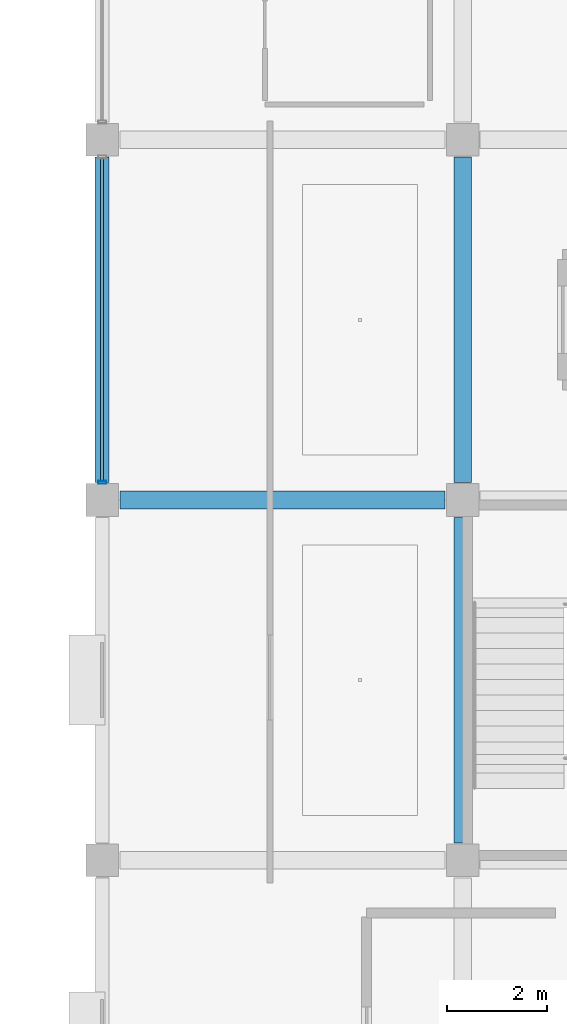
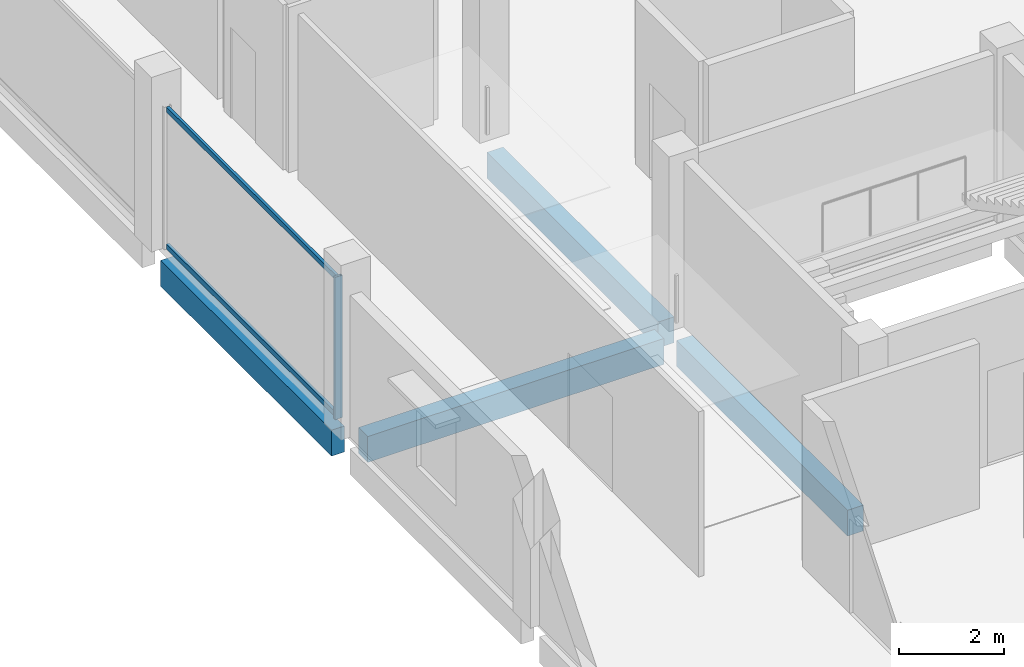
# One storey, part 30 of 77: 4 beams, 3 members, 1 element without a shape of its own.
"""IFC4 building model written with IfcOpenShell, lengths in metres."""

from ifc_helpers import new_model, si_unit, direction, frame, origin, origin_2d, place, context, subcontext, project, spatial, rectangle, hollow_rectangle, extrude, material, layer, layer_set, material_profile, profile_set, type_object, element, aggregate, save


model = new_model("IFC4")

# Units and contexts
model_context = context("Model", 3, precision=1e-05, world=origin(), true_north=direction((0.0, 1.0)))
body_context = subcontext(model_context, "Body", "Model", "MODEL_VIEW")
ifc_project = project(units=[si_unit("LENGTHUNIT", "METRE"), si_unit("AREAUNIT", "SQUARE_METRE"), si_unit("VOLUMEUNIT", "CUBIC_METRE"), si_unit("PLANEANGLEUNIT", "RADIAN"), si_unit("MASSUNIT", "GRAM", prefix="KILO")], contexts=[model_context])

# Site, building, storey
site_placement = place(None, origin())
site = spatial("IfcSite", under=ifc_project, at=site_placement, CompositionType="ELEMENT")
building_placement = place(site_placement, origin())
building = spatial("IfcBuilding", under=site, at=building_placement, Name="Kangsadwip Square Police Headquarters", CompositionType="ELEMENT")
storey_placement = place(building_placement, frame((0.0, 0.0, 17.550048828125)))
storey = spatial("IfcBuildingStorey", under=building, at=storey_placement, Name="L04", CompositionType="ELEMENT", Elevation=17.550048828125)

# Curtain wall, members
ifc_material_1 = material(Name="Thermally broken anodised aluminium AW-6063-T6", Category="aluminium")
ifc_layer = layer(ifc_material_1, 0.159912109375)
ifc_layer_set = layer_set([ifc_layer], Name="Thermally broken anodised aluminium AW-6063-T6")
curtain_wall_type = type_object("IfcCurtainWallType", Name="CourtScreen6560x3300", PredefinedType="USERDEFINED", material=ifc_layer_set)
curtain_wall_placement = place(storey_placement, origin())
curtain_wall = element("IfcCurtainWall", 1, at=curtain_wall_placement, inside=storey, type_object=curtain_wall_type, Name="Curtain Wall CW-L04-1440-0651", ObjectType="GLAZED_SCREEN", PredefinedType="USERDEFINED")
ifc_material_2 = material(Name="Thermally broken anodised aluminium AW-6063-T6", Category="aluminium")
ifc_material_profile_1 = material_profile(ifc_material_2, hollow_rectangle(XDim=0.06005859375, YDim=0.159912109375, WallThickness=0.00390625, at=origin_2d()), Name="CWM 160X60X4")
ifc_profile_set_1 = profile_set([ifc_material_profile_1], Name="Thermally broken anodised aluminium AW-6063-T6")
member_type_1 = type_object("IfcMemberType", Name="CwMullion135x60", PredefinedType="MULLION", material=ifc_profile_set_1)
member_1_placement = place(storey_placement, frame((144.0, 65.14990234375, 0.0), z_axis=(0.0, 0.0, 1.0), x_axis=(0.0, 1.0, 0.0)))
member_1 = element("IfcMember", 2, at=member_1_placement, type_object=member_type_1, Name="CW-48 mullion 1", PredefinedType="MULLION", context=body_context, shape_type="SweptSolid", body=[
    extrude(hollow_rectangle(XDim=0.06005859375, YDim=0.159912109375, WallThickness=0.00390625, at=origin_2d()), origin(), (0.0, 0.0, 1.0), 3.300048828125),
])
ifc_material_3 = material(Name="Thermally broken anodised aluminium AW-6063-T6", Category="aluminium")
ifc_material_profile_2 = material_profile(ifc_material_3, hollow_rectangle(XDim=0.06005859375, YDim=0.1201171875, WallThickness=0.00390625, at=origin_2d()), Name="CWT 120X60X4")
ifc_profile_set_2 = profile_set([ifc_material_profile_2], Name="Thermally broken anodised aluminium AW-6063-T6")
member_type_2 = type_object("IfcMemberType", Name="CwTransom120x55", PredefinedType="USERDEFINED", material=ifc_profile_set_2)
member_2_placement = place(storey_placement, frame((144.0, 65.179931640625, 0.06005859375), z_axis=(0.0, 1.0, 0.0), x_axis=(-1.0, 0.0, 0.0)))
member_2 = element("IfcMember", 3, at=member_2_placement, type_object=member_type_2, Name="CW-48 transom 1.1", ObjectType="TRANSOM", PredefinedType="USERDEFINED", context=body_context, shape_type="SweptSolid", body=[
    extrude(hollow_rectangle(XDim=0.06005859375, YDim=0.1201171875, WallThickness=0.00390625, at=origin_2d()), origin(), (0.0, 0.0, 1.0), 6.440185546875),
])
member_3_placement = place(storey_placement, frame((144.0, 65.179931640625, 3.239990234375), z_axis=(0.0, 1.0, 0.0), x_axis=(-1.0, 0.0, 0.0)))
member_3 = element("IfcMember", 4, at=member_3_placement, type_object=member_type_2, Name="CW-48 transom 1.2", ObjectType="TRANSOM", PredefinedType="USERDEFINED", context=body_context, shape_type="SweptSolid", body=[
    extrude(hollow_rectangle(XDim=0.06005859375, YDim=0.1201171875, WallThickness=0.00390625, at=origin_2d()), origin(), (0.0, 0.0, 1.0), 6.440185546875),
])
aggregate(curtain_wall, [member_1, member_2, member_3])

# Beams
ifc_material_4 = material(Name="Concrete M35 (35 MPa)", Category="concrete")
ifc_material_profile_3 = material_profile(ifc_material_4, rectangle(XDim=0.35009765625, YDim=0.60009765625, at=origin_2d()), Name="RC BM 600X350")
ifc_profile_set_3 = profile_set([ifc_material_profile_3], Name="Concrete M35 (35 MPa)")
beam_type_1 = type_object("IfcBeamType", Name="RcBeam600x350", PredefinedType="BEAM", material=ifc_profile_set_3)
for number, where, z_axis, x_axis, name in (
    (5, (144.35009765625, 64.800048828125, -0.5400390625), (1.0, 0.0, 0.0), (0.0, 1.0, 0.0), "Beam BM-L04-X-20-09"),
    (6, (151.199951171875, 57.949951171875, -0.5400390625), (0.0, 1.0, 0.0), (-1.0, 0.0, 0.0), "Beam BM-L04-Y-21-08"),
    (7, (151.199951171875, 65.14990234375, -0.5400390625), (0.0, 1.0, 0.0), (-1.0, 0.0, 0.0), "Beam BM-L04-Y-21-09"),
):
    element("IfcBeam", number, at=place(storey_placement, frame(where, z_axis=z_axis, x_axis=x_axis)), inside=storey, type_object=beam_type_1, Name=name, PredefinedType="BEAM", context=body_context, shape_type="SweptSolid", body=[
        extrude(rectangle(XDim=0.35009765625, YDim=0.60009765625, at=origin_2d()), origin(), (0.0, 0.0, 1.0), 6.5),
    ])
ifc_material_5 = material(Name="Concrete M40 (40 MPa)", Category="concrete")
ifc_material_profile_4 = material_profile(ifc_material_5, rectangle(XDim=0.280029296875, YDim=0.60009765625, at=origin_2d()), Name="RC SPN 600X280")
ifc_profile_set_4 = profile_set([ifc_material_profile_4], Name="Concrete M40 (40 MPa)")
beam_type_2 = type_object("IfcBeamType", Name="RcSpandrel600x280", PredefinedType="SPANDREL", material=ifc_profile_set_4)
beam_placement = place(storey_placement, frame((144.0, 65.14990234375, -0.5400390625), z_axis=(0.0, 1.0, 0.0), x_axis=(-1.0, 0.0, 0.0)))
element("IfcBeam", 8, at=beam_placement, inside=storey, type_object=beam_type_2, Name="Beam BM-L04-Y-20-09", PredefinedType="SPANDREL", context=body_context, shape_type="SweptSolid", body=[
    extrude(rectangle(XDim=0.280029296875, YDim=0.60009765625, at=origin_2d()), origin(), (0.0, 0.0, 1.0), 6.5),
])

save(model, "model.ifc")
